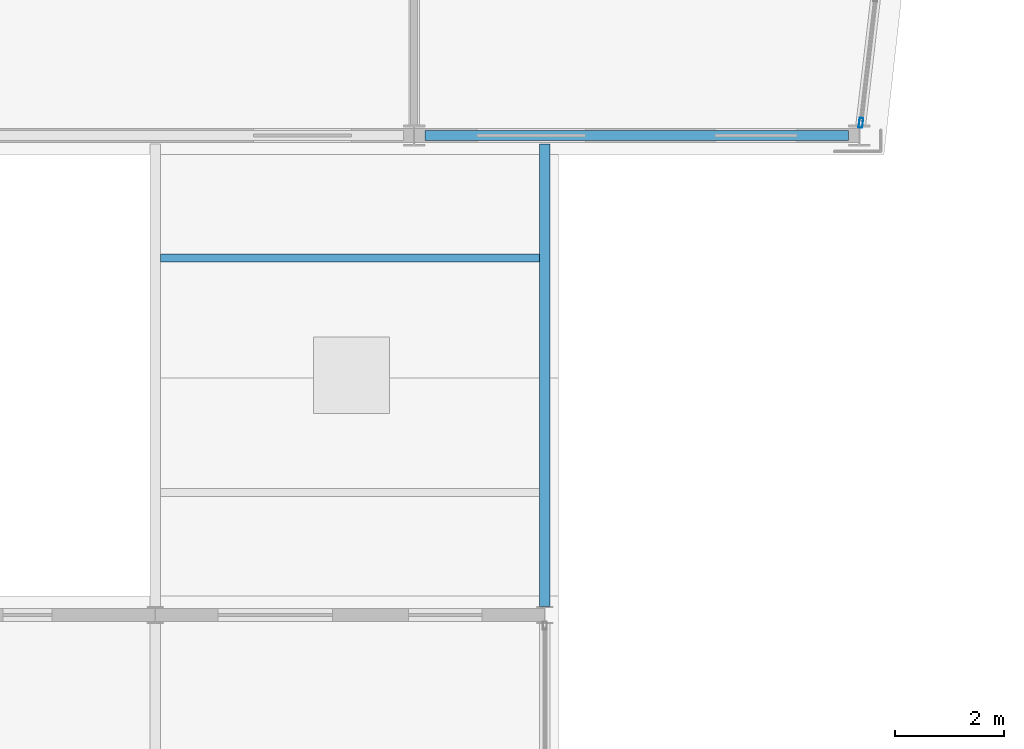
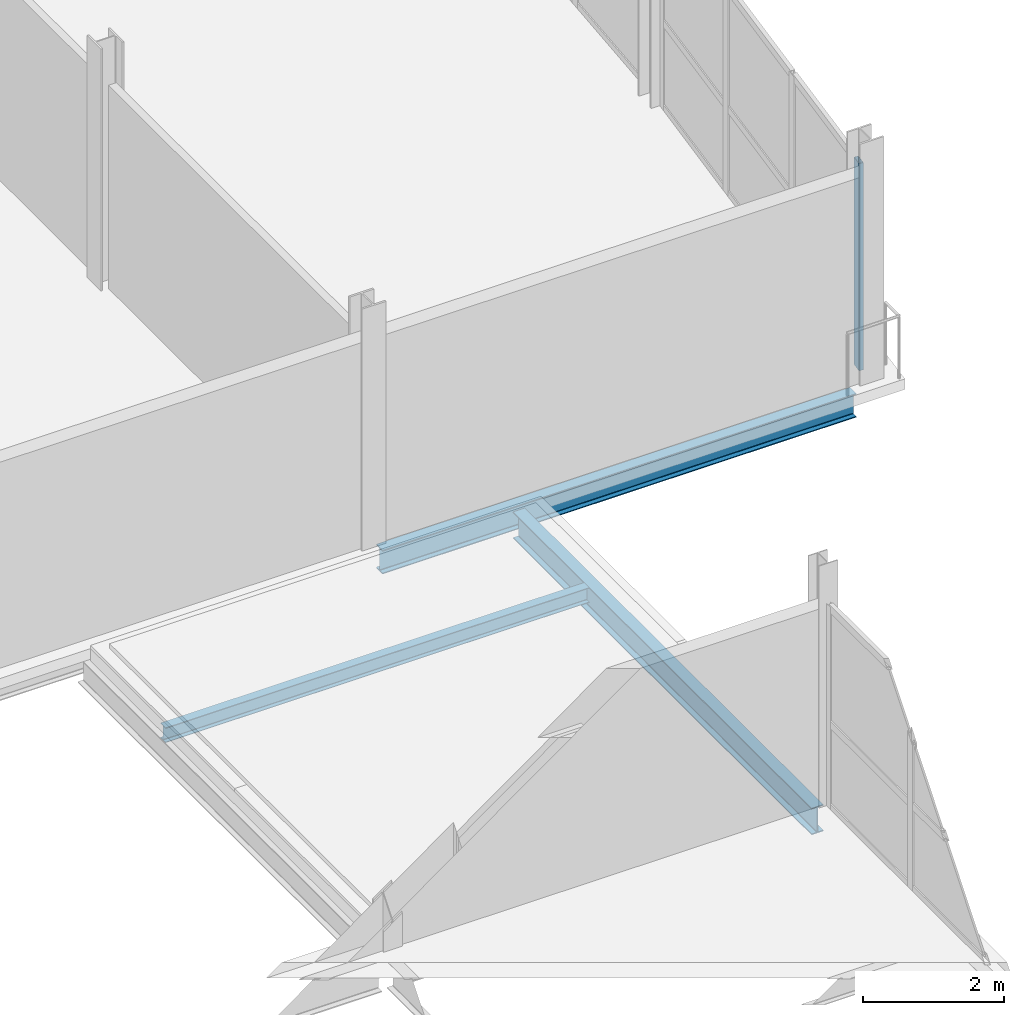
# One storey, part 14 of 65: 3 beams, 1 member, 1 element without a shape of its own.
"""IFC4 building model written with IfcOpenShell, lengths in metres."""

from ifc_helpers import new_model, si_unit, direction, frame, origin, origin_2d, place, context, subcontext, project, spatial, hollow_rectangle, i_section, extrude, material, layer, layer_set, material_profile, profile_set, type_object, element, aggregate, save


model = new_model("IFC4")

# Units and contexts
model_context = context("Model", 3, precision=1e-05, world=origin(), true_north=direction((0.0, 1.0)))
body_context = subcontext(model_context, "Body", "Model", "MODEL_VIEW")
ifc_project = project(units=[si_unit("LENGTHUNIT", "METRE"), si_unit("AREAUNIT", "SQUARE_METRE"), si_unit("VOLUMEUNIT", "CUBIC_METRE"), si_unit("PLANEANGLEUNIT", "RADIAN"), si_unit("MASSUNIT", "GRAM", prefix="KILO")], contexts=[model_context])

# Site, building, storey
site_placement = place(None, origin())
site = spatial("IfcSite", under=ifc_project, at=site_placement, CompositionType="ELEMENT")
building_placement = place(site_placement, origin())
building = spatial("IfcBuilding", under=site, at=building_placement, Name="Quillay Park Conservatory", CompositionType="ELEMENT")
storey_placement = place(building_placement, frame((0.0, 0.0, 14.10009765625)))
storey = spatial("IfcBuildingStorey", under=building, at=storey_placement, Name="L03", CompositionType="ELEMENT", Elevation=14.10009765625)

# Beam
ifc_material_1 = material(Name="Steel ASTM A992 Grade 50", Category="steel")
ifc_material_profile_1 = material_profile(ifc_material_1, i_section(OverallWidth=0.14599609375, OverallDepth=0.258056640625, WebThickness=0.006103515625, FlangeThickness=0.009033203125, FilletRadius=0.009033203125, at=origin_2d()), Name="W250x33")
ifc_profile_set_1 = profile_set([ifc_material_profile_1], Name="Steel ASTM A992 Grade 50")
beam_type_1 = type_object("IfcBeamType", Name="COMPOSITE FLOOR JOIST W250 X33", PredefinedType="JOIST", material=ifc_profile_set_1)
beam_1_placement = place(storey_placement, frame((15.095947265625, 60.800048828125, -0.343994140625), z_axis=(1.0, 0.0, 0.0), x_axis=(0.0, 1.0, 0.0)))
element("IfcBeam", 1, at=beam_1_placement, inside=storey, type_object=beam_type_1, Name="L03 beam BM-LB1J-1588", PredefinedType="JOIST", context=body_context, shape_type="SweptSolid", body=[
    extrude(i_section(OverallWidth=0.14599609375, OverallDepth=0.258056640625, WebThickness=0.006103515625, FlangeThickness=0.009033203125, FilletRadius=0.009033203125, at=origin_2d()), origin(), (0.0, 0.0, 1.0), 6.9580078125),
])

# Curtain wall, member
ifc_material_2 = material(Name="Thermally Broken Anodised Aluminium 6063-T6", Category="aluminium")
ifc_layer = layer(ifc_material_2, 0.179931640625)
ifc_layer_set = layer_set([ifc_layer], Name="UNITISED CURTAIN WALL TOWER (Thermally Broken Anodised Aluminium 6063-T6)")
curtain_wall_type = type_object("IfcCurtainWallType", Name="UNITISED CURTAIN WALL TOWER", PredefinedType="USERDEFINED", material=ifc_layer_set)
curtain_wall_placement = place(storey_placement, origin())
curtain_wall = element("IfcCurtainWall", 2, at=curtain_wall_placement, inside=storey, type_object=curtain_wall_type, Name="L03 Unitised Curtain Wall 028", ObjectType="UNITISED CURTAIN WALL", PredefinedType="USERDEFINED")
ifc_material_3 = material(Name="Thermally Broken Anodised Aluminium 6063-T6", Category="aluminium")
ifc_material_profile_2 = material_profile(ifc_material_3, hollow_rectangle(XDim=0.070068359375, YDim=0.179931640625, WallThickness=0.00390625, at=origin_2d()), Name="AL70x180x4")
ifc_profile_set_2 = profile_set([ifc_material_profile_2], Name="Thermally Broken Anodised Aluminium 6063-T6")
member_type = type_object("IfcMemberType", Name="CURTAIN WALL MULLION 70 X180", PredefinedType="MULLION", material=ifc_profile_set_2)
member_placement = place(storey_placement, frame((27.952392578125, 63.283447265625, 0.0), z_axis=(0.0, 0.0, 1.0), x_axis=(0.993172502804, -0.116654959918, 0.0)))
member = element("IfcMember", 3, at=member_placement, type_object=member_type, Name="CW-T1 mullion 4", PredefinedType="MULLION", context=body_context, shape_type="SweptSolid", body=[
    extrude(hollow_rectangle(XDim=0.070068359375, YDim=0.179931640625, WallThickness=0.00390625, at=origin_2d()), origin(), (0.0, 0.0, 1.0), 3.598876953125),
])
aggregate(curtain_wall, [member])

# Beams
ifc_material_4 = material(Name="Steel ASTM A992 Grade 50", Category="steel")
ifc_material_profile_3 = material_profile(ifc_material_4, i_section(OverallWidth=0.179931640625, OverallDepth=0.4130859375, WebThickness=0.009765625, FlangeThickness=0.01611328125, FilletRadius=0.011962890625, at=origin_2d()), Name="W410x74")
ifc_profile_set_3 = profile_set([ifc_material_profile_3], Name="Steel ASTM A992 Grade 50")
beam_type_2 = type_object("IfcBeamType", Name="PERIMETER SPANDREL BEAM W410 X74", PredefinedType="SPANDREL", material=ifc_profile_set_3)
beam_2_placement = place(storey_placement, frame((19.947509765625, 63.050048828125, -0.3916015625), z_axis=(1.0, 0.0, 0.0), x_axis=(0.0, 1.0, 0.0)))
element("IfcBeam", 4, at=beam_2_placement, inside=storey, type_object=beam_type_2, Name="L03 beam BM-SP-0246", PredefinedType="SPANDREL", context=body_context, shape_type="SweptSolid", body=[
    extrude(i_section(OverallWidth=0.179931640625, OverallDepth=0.4130859375, WebThickness=0.009765625, FlangeThickness=0.01611328125, FilletRadius=0.011962890625, at=origin_2d()), origin(), (0.0, 0.0, 1.0), 7.780029296875),
])
ifc_material_5 = material(Name="Steel ASTM A992 Grade 50", Category="steel")
ifc_material_profile_4 = material_profile(ifc_material_5, i_section(OverallWidth=0.19189453125, OverallDepth=0.462890625, WebThickness=0.010498046875, FlangeThickness=0.017578125, FilletRadius=0.012939453125, at=origin_2d()), Name="W460x89")
ifc_profile_set_4 = profile_set([ifc_material_profile_4], Name="Steel ASTM A992 Grade 50")
beam_type_3 = type_object("IfcBeamType", Name="PRIMARY FLOOR GIRDER W460 X89", PredefinedType="BEAM", material=ifc_profile_set_4)
beam_3_placement = place(storey_placement, frame((22.14990234375, 54.405029296875, -0.446533203125), z_axis=(0.0, 1.0, 0.0), x_axis=(-1.0, 0.0, 0.0)))
element("IfcBeam", 5, at=beam_3_placement, inside=storey, type_object=beam_type_3, Name="L03 beam BM-LB1-1586", PredefinedType="BEAM", context=body_context, shape_type="SweptSolid", body=[
    extrude(i_section(OverallWidth=0.19189453125, OverallDepth=0.462890625, WebThickness=0.010498046875, FlangeThickness=0.017578125, FilletRadius=0.012939453125, at=origin_2d()), origin(), (0.0, 0.0, 1.0), 8.489990234375),
])

save(model, "model.ifc")
